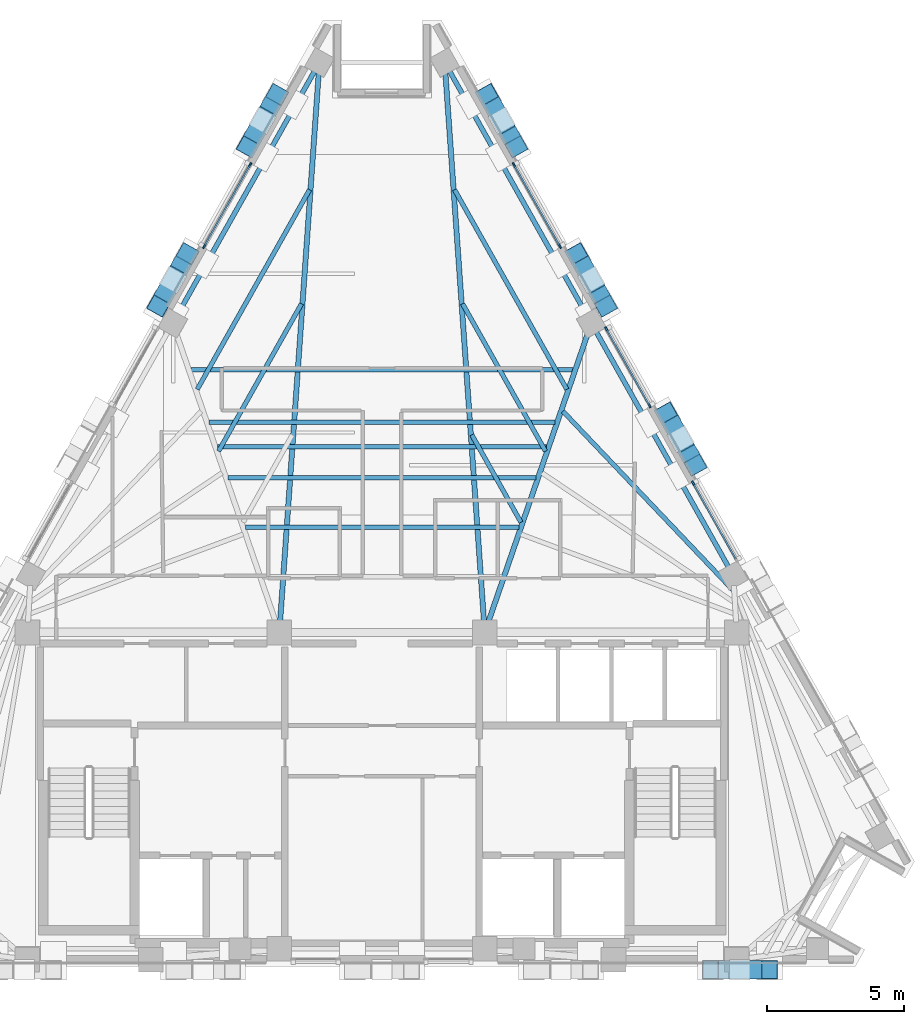
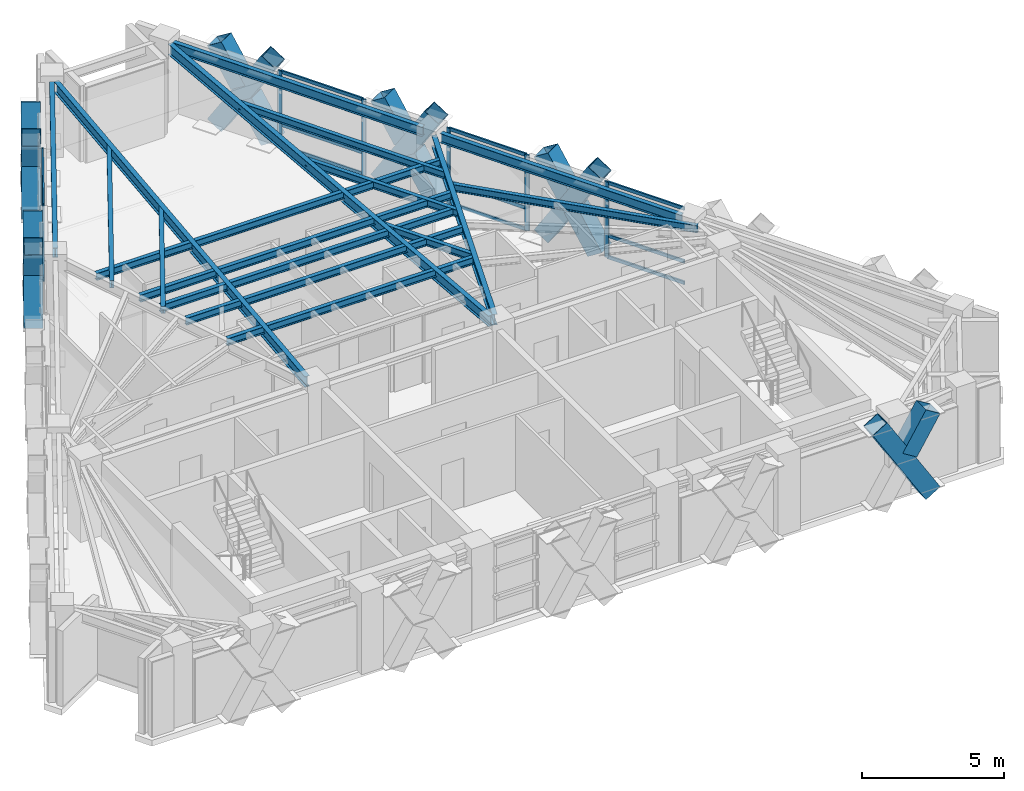
# One storey, part 4 of 11: 36 members, 17 beams, 4 elements without a shape of their own.
"""IFC4 building model written with IfcOpenShell, lengths in metres."""

import ifcopenshell
import ifcopenshell.guid

model = None  # the IFC model being written
_history = None  # IfcOwnerHistory: only IFC2X3 demands one
_inside = {}  # id of a spatial element -> (the spatial element, [elements in it])
_under = {}  # id of a project, library or spatial element -> (it, [spatial elements below it])
_declared = {}  # id of a project -> (the project, [libraries it declares])
_typed = {}  # id of a type object -> (the type object, [elements of that type])
_made_of = {}  # id of a material, layer set ... -> (it, [elements and type objects made of it])


def new_model(schema):
    """Start an empty IFC model of exactly this schema.

    Asked for "IFC4X3", IfcOpenShell would pick the latest addendum, in which some entities
    have other attributes; the version numbers below select the first issue.
    IFC2X3 requires an IfcOwnerHistory on every rooted entity: one is made here for all.
    """
    global model, _history
    if schema == "IFC4X3":
        model = ifcopenshell.file(schema_version=(4, 3, 0, 0))
    else:
        model = ifcopenshell.file(schema=schema)
    _inside.clear()
    _under.clear()
    _declared.clear()
    _typed.clear()
    _made_of.clear()
    _history = None
    if model.schema == "IFC2X3":
        org = make("IfcOrganization", Name="unknown")
        user = make(
            "IfcPersonAndOrganization",
            ThePerson=make("IfcPerson", FamilyName="unknown"),
            TheOrganization=org,
        )
        app = make(
            "IfcApplication",
            ApplicationDeveloper=org,
            Version="unknown",
            ApplicationFullName="unknown",
            ApplicationIdentifier="unknown",
        )
        _history = make(
            "IfcOwnerHistory",
            OwningUser=user,
            OwningApplication=app,
            ChangeAction="ADDED",
            CreationDate=0,
        )
    return model


def make(cls, **values):
    """One entity of the class cls with the attributes given. An attribute that is None is left unset."""
    return model.create_entity(
        cls, **{name: value for name, value in values.items() if value is not None}
    )


def rooted(cls, **values):
    """An entity with a GlobalId (a new one), such as an element, a storey or a relation."""
    return make(cls, GlobalId=ifcopenshell.guid.new(), OwnerHistory=_history, **values)


def si_unit(unit_type, name, prefix=None):
    """IfcSIUnit, for example si_unit("LENGTHUNIT", "METRE", prefix="MILLI")."""
    return make("IfcSIUnit", UnitType=unit_type, Prefix=prefix, Name=name)


def assignment(units):
    """IfcUnitAssignment: the units of a project."""
    return None if units is None else make("IfcUnitAssignment", Units=units)


def point(xyz):
    """IfcCartesianPoint."""
    return None if xyz is None else make("IfcCartesianPoint", Coordinates=xyz)


def direction(xyz):
    """IfcDirection."""
    return None if xyz is None else make("IfcDirection", DirectionRatios=xyz)


def frame(location, z_axis=None, x_axis=None):
    """IfcAxis2Placement3D, a coordinate frame: its origin and axes. An axis left out is left unset."""
    return make(
        "IfcAxis2Placement3D",
        Location=point(location),
        Axis=direction(z_axis),
        RefDirection=direction(x_axis),
    )


def frame_2d(location, x_axis=None):
    """IfcAxis2Placement2D, a coordinate frame in the plane: its origin and x axis."""
    return make(
        "IfcAxis2Placement2D", Location=point(location), RefDirection=direction(x_axis)
    )


def origin():
    """The frame at (0, 0, 0) with its axes left unset."""
    return frame((0.0, 0.0, 0.0))


def origin_2d():
    """The frame at (0, 0) in the plane with its x axis left unset."""
    return frame_2d((0.0, 0.0))


def place(relative_to, where):
    """IfcLocalPlacement: puts the frame where relative to a parent placement (None: the world)."""
    return make(
        "IfcLocalPlacement", PlacementRelTo=relative_to, RelativePlacement=where
    )


def context(
    kind, dimensions, precision=None, world=None, true_north=None, identifier=None
):
    """IfcGeometricRepresentationContext, for example the 3D "Model" context."""
    return make(
        "IfcGeometricRepresentationContext",
        ContextIdentifier=identifier,
        ContextType=kind,
        CoordinateSpaceDimension=dimensions,
        Precision=precision,
        WorldCoordinateSystem=world,
        TrueNorth=true_north,
    )


def subcontext(parent, identifier, kind, view, scale=None):
    """IfcGeometricRepresentationSubContext, for example "Body" below "Model"."""
    return make(
        "IfcGeometricRepresentationSubContext",
        ContextIdentifier=identifier,
        ContextType=kind,
        ParentContext=parent,
        TargetScale=scale,
        TargetView=view,
    )


def project(units=None, contexts=None):
    """IfcProject with its units and contexts."""
    return rooted(
        "IfcProject",
        Name="project",
        RepresentationContexts=contexts,
        UnitsInContext=assignment(units),
    )


def spatial(cls, under=None, at=None, **own):
    """A site, building, storey or space (cls), placed at a placement, below another one or the project."""
    s = rooted(cls, ObjectPlacement=at, **own)
    if under is not None:
        _under.setdefault(under.id(), (under, []))[1].append(s)
    return s


def profile(cls, at=None, kind="AREA", **sizes):
    """A parametric profile (cls). Its sizes go by their IFC names, for example OverallWidth=200.0."""
    return make(cls, ProfileType=kind, Position=at, **sizes)


def rectangle(**sizes):
    """IfcRectangleProfileDef."""
    return profile("IfcRectangleProfileDef", **sizes)


def hollow_rectangle(**sizes):
    """IfcRectangleHollowProfileDef."""
    return profile("IfcRectangleHollowProfileDef", **sizes)


def i_section(**sizes):
    """IfcIShapeProfileDef."""
    return profile("IfcIShapeProfileDef", **sizes)


def extrude(swept, where, along, depth):
    """IfcExtrudedAreaSolid: the profile swept, set in the frame where, extruded along a direction by depth."""
    return make(
        "IfcExtrudedAreaSolid",
        SweptArea=swept,
        Position=where,
        ExtrudedDirection=direction(along),
        Depth=depth,
    )


def shape(context_of_items, identifier, shape_type, items):
    """IfcShapeRepresentation: the items that make up one representation, for example the "Body"."""
    return make(
        "IfcShapeRepresentation",
        ContextOfItems=context_of_items,
        RepresentationIdentifier=identifier,
        RepresentationType=shape_type,
        Items=items,
    )


def material(Name=None, Category=None):
    """IfcMaterial."""
    return make("IfcMaterial", Name=Name, Category=Category)


def material_profile(
    of_material, cross_section, Name=None, Category=None, Priority=None
):
    """IfcMaterialProfile: a cross section and its material."""
    return make(
        "IfcMaterialProfile",
        Name=Name,
        Material=of_material,
        Profile=cross_section,
        Priority=Priority,
        Category=Category,
    )


def profile_set(profiles, Name=None, composite=None):
    """IfcMaterialProfileSet."""
    return make(
        "IfcMaterialProfileSet",
        Name=Name,
        MaterialProfiles=profiles,
        CompositeProfile=composite,
    )


def made_of(thing, what):
    """Note that an element or type object is made of a material, layer set ...; save() writes the relation."""
    if what is not None:
        _made_of.setdefault(what.id(), (what, []))[1].append(thing)
    return thing


def type_object(cls, material=None, **own):
    """A type object (cls), such as IfcWallType, which elements share."""
    return made_of(rooted(cls, **own), material)


def element(
    cls,
    number,
    at=None,
    inside=None,
    cuts=None,
    type_object=None,
    material=None,
    context=None,
    identifier="Body",
    shape_type=None,
    held_by="IfcProductDefinitionShape",
    body=None,
    shapes=None,
    **own,
):
    """One element of the class cls, such as IfcWall. Its Tag is "e" and its number.

    at: its placement. inside: the storey or other place that contains it. cuts: it is an
    opening in that element (IfcRelVoidsElement). A single representation is given by context,
    identifier, shape_type and body (its items); several are given by shapes. held_by: the class
    of the entity that holds the representations. save() writes the other relations.
    """
    e = rooted(cls, Tag="e%d" % number, ObjectPlacement=at, **own)
    if body is not None:
        shapes = [shape(context, identifier, shape_type, body)]
    if shapes is not None:
        e.Representation = make(held_by, Representations=shapes)
    if inside is not None:
        _inside.setdefault(inside.id(), (inside, []))[1].append(e)
    if cuts is not None:
        rooted(
            "IfcRelVoidsElement", RelatingBuildingElement=cuts, RelatedOpeningElement=e
        )
    if type_object is not None:
        _typed.setdefault(type_object.id(), (type_object, []))[1].append(e)
    return made_of(e, material)


def aggregate(whole, parts):
    """IfcRelAggregates: a whole, such as a stair, and the parts it consists of."""
    return rooted("IfcRelAggregates", RelatingObject=whole, RelatedObjects=parts)


def save(model, path):
    """Write the relations noted so far, then the file.

    IfcRelAggregates (storeys below a building ...), IfcRelContainedInSpatialStructure (elements
    in a storey), IfcRelDefinesByType, IfcRelAssociatesMaterial and IfcRelDeclares: one each for
    every whole, place, type object, material and project.
    """
    for whole, parts in _under.values():
        aggregate(whole, parts)
    for where, things in _inside.values():
        rooted(
            "IfcRelContainedInSpatialStructure",
            RelatedElements=things,
            RelatingStructure=where,
        )
    for kind, things in _typed.values():
        rooted("IfcRelDefinesByType", RelatedObjects=things, RelatingType=kind)
    for what, things in _made_of.values():
        rooted("IfcRelAssociatesMaterial", RelatedObjects=things, RelatingMaterial=what)
    for by, libraries in _declared.values():
        rooted("IfcRelDeclares", RelatingContext=by, RelatedDefinitions=libraries)
    model.write(path)


model = new_model("IFC4")

# Units and contexts
model_context = context("Model", 3, precision=1e-05, world=origin(), true_north=direction((0.0, 1.0)))
body_context = subcontext(model_context, "Body", "Model", "MODEL_VIEW")
ifc_project = project(units=[si_unit("LENGTHUNIT", "METRE"), si_unit("AREAUNIT", "SQUARE_METRE"), si_unit("VOLUMEUNIT", "CUBIC_METRE"), si_unit("PLANEANGLEUNIT", "RADIAN"), si_unit("MASSUNIT", "GRAM", prefix="KILO")], contexts=[model_context])

# Site, building, storey
site_placement = place(None, origin())
site = spatial("IfcSite", under=ifc_project, at=site_placement, CompositionType="ELEMENT")
building_placement = place(site_placement, origin())
building = spatial("IfcBuilding", under=site, at=building_placement, Name="Quenlor Broadcast Tower", CompositionType="ELEMENT")
storey_placement = place(building_placement, frame((0.0, 0.0, 253.39990234375)))
storey = spatial("IfcBuildingStorey", under=building, at=storey_placement, Name="L70", CompositionType="ELEMENT", Elevation=253.39990234375)

# Curtain wall, members
ifc_material_1 = material(Name="Architectural Terracotta and Low-E Glazing", Category="masonry")
curtain_wall_type = type_object("IfcCurtainWallType", Name="Unitised Terracotta Curtain Wall System Z5", PredefinedType="NOTDEFINED", material=ifc_material_1)
curtain_wall_1_placement = place(storey_placement, origin())
curtain_wall_1 = element("IfcCurtainWall", 1, at=curtain_wall_1_placement, inside=storey, type_object=curtain_wall_type, Name="L70 Curtain Wall CW5 (L70-NEA-G1)", PredefinedType="NOTDEFINED")
ifc_material_2 = material(Name="Aluminium 6063-T6", Category="aluminium")
ifc_material_profile_1 = material_profile(ifc_material_2, rectangle(XDim=0.06494140625, YDim=0.169921875, at=origin_2d()))
ifc_profile_set_1 = profile_set([ifc_material_profile_1], Name="Aluminium 6063-T6 MULL65x170")
member_type_1 = type_object("IfcMemberType", Name="CW5 Aluminium Mullion MULL_CW5", PredefinedType="MULLION", material=ifc_profile_set_1)
member_1_placement = place(storey_placement, frame((4.81787109375, 12.274169921875, 0.0), z_axis=(0.0, 0.0, 1.0), x_axis=(0.871581670563, 0.490250335582, 0.0)))
member_1 = element("IfcMember", 2, at=member_1_placement, type_object=member_type_1, Name="CW5 mullion 1", PredefinedType="MULLION", context=body_context, shape_type="SweptSolid", body=[
    extrude(rectangle(XDim=0.06494140625, YDim=0.169921875, at=origin_2d()), origin(), (0.0, 0.0, 1.0), 3.25),
])
member_2_placement = place(storey_placement, frame((6.49365234375, 9.294677734375, 0.0), z_axis=(0.0, 0.0, 1.0), x_axis=(0.871581670563, 0.490250335582, 0.0)))
member_2 = element("IfcMember", 3, at=member_2_placement, type_object=member_type_1, Name="CW5 mullion 2", PredefinedType="MULLION", context=body_context, shape_type="SweptSolid", body=[
    extrude(rectangle(XDim=0.06494140625, YDim=0.169921875, at=origin_2d()), origin(), (0.0, 0.0, 1.0), 3.25),
])

curtain_wall_2_placement = place(storey_placement, origin())
curtain_wall_2 = element("IfcCurtainWall", 4, at=curtain_wall_2_placement, inside=storey, type_object=curtain_wall_type, Name="L70 Curtain Wall CW5 (L70-NE-G1)", PredefinedType="NOTDEFINED")
member_3_placement = place(storey_placement, frame((8.190185546875, 6.27880859375, 0.0), z_axis=(0.0, 0.0, 1.0), x_axis=(0.871574721405, 0.490262689797, 0.0)))
member_3 = element("IfcMember", 5, at=member_3_placement, type_object=member_type_1, Name="CW5 mullion 1", PredefinedType="MULLION", context=body_context, shape_type="SweptSolid", body=[
    extrude(rectangle(XDim=0.06494140625, YDim=0.169921875, at=origin_2d()), origin(), (0.0, 0.0, 1.0), 3.25),
])
member_4_placement = place(storey_placement, frame((9.763427734375, 3.48193359375, 0.0), z_axis=(0.0, 0.0, 1.0), x_axis=(0.871574721405, 0.490262689797, 0.0)))
member_4 = element("IfcMember", 6, at=member_4_placement, type_object=member_type_1, Name="CW5 mullion 2", PredefinedType="MULLION", context=body_context, shape_type="SweptSolid", body=[
    extrude(rectangle(XDim=0.06494140625, YDim=0.169921875, at=origin_2d()), origin(), (0.0, 0.0, 1.0), 3.25),
])

# Curtain wall, member
curtain_wall_3_placement = place(storey_placement, origin())
curtain_wall_3 = element("IfcCurtainWall", 7, at=curtain_wall_3_placement, inside=storey, type_object=curtain_wall_type, Name="L70 Curtain Wall CW5 (L70-NE-G2)", PredefinedType="NOTDEFINED")
member_5_placement = place(storey_placement, frame((11.357177734375, 0.6484375, 0.0), z_axis=(0.0, 0.0, 1.0), x_axis=(0.871574721405, 0.490262689797, 0.0)))
member_5 = element("IfcMember", 8, at=member_5_placement, type_object=member_type_1, Name="CW5 mullion 1", PredefinedType="MULLION", context=body_context, shape_type="SweptSolid", body=[
    extrude(rectangle(XDim=0.06494140625, YDim=0.169921875, at=origin_2d()), origin(), (0.0, 0.0, 1.0), 3.25),
])

# Curtain wall, members
curtain_wall_4_placement = place(storey_placement, origin())
curtain_wall_4 = element("IfcCurtainWall", 9, at=curtain_wall_4_placement, inside=storey, type_object=curtain_wall_type, Name="L70 Curtain Wall CW5 (L70-NWC-G1)", PredefinedType="NOTDEFINED")
member_6_placement = place(storey_placement, frame((-6.49365234375, 9.294677734375, 0.0), z_axis=(0.0, 0.0, 1.0), x_axis=(-0.871581670563, 0.490250335582, 0.0)))
member_6 = element("IfcMember", 10, at=member_6_placement, type_object=member_type_1, Name="CW5 mullion 1", PredefinedType="MULLION", context=body_context, shape_type="SweptSolid", body=[
    extrude(rectangle(XDim=0.06494140625, YDim=0.169921875, at=origin_2d()), origin(), (0.0, 0.0, 1.0), 3.25),
])
member_7_placement = place(storey_placement, frame((-4.81787109375, 12.274169921875, 0.0), z_axis=(0.0, 0.0, 1.0), x_axis=(-0.871581670563, 0.490250335582, 0.0)))
member_7 = element("IfcMember", 11, at=member_7_placement, type_object=member_type_1, Name="CW5 mullion 2", PredefinedType="MULLION", context=body_context, shape_type="SweptSolid", body=[
    extrude(rectangle(XDim=0.06494140625, YDim=0.169921875, at=origin_2d()), origin(), (0.0, 0.0, 1.0), 3.25),
])

# Member
ifc_material_3 = material(Name="Aluminium 6063-T6", Category="aluminium")
ifc_material_profile_2 = material_profile(ifc_material_3, rectangle(XDim=0.06494140625, YDim=0.139892578125, at=origin_2d()))
ifc_profile_set_2 = profile_set([ifc_material_profile_2], Name="Aluminium 6063-T6 TRAN65x140")
member_type_2 = type_object("IfcMemberType", Name="CW5 Aluminium Transom TRAN_CW5", PredefinedType="USERDEFINED", material=ifc_profile_set_2)
member_8_placement = place(storey_placement, frame((4.833740234375, 12.245849609375, 0.03271484375), z_axis=(0.490247413707, -0.871583314063, 0.0), x_axis=(0.871583314063, 0.490247413707, 0.0)))
member_8 = element("IfcMember", 12, at=member_8_placement, type_object=member_type_2, Name="CW5 transom 1.1", ObjectType="TRANSOM", PredefinedType="USERDEFINED", context=body_context, shape_type="SweptSolid", body=[
    extrude(rectangle(XDim=0.06494140625, YDim=0.139892578125, at=origin_2d()), origin(), (0.0, 0.0, 1.0), 3.353515625),
])

member_9_placement = place(storey_placement, frame((4.833740234375, 12.245849609375, 0.9501953125), z_axis=(0.490247413707, -0.871583314063, 0.0), x_axis=(0.871583314063, 0.490247413707, 0.0)))
member_9 = element("IfcMember", 13, at=member_9_placement, type_object=member_type_2, Name="CW5 transom 1.2", ObjectType="TRANSOM", PredefinedType="USERDEFINED", context=body_context, shape_type="SweptSolid", body=[
    extrude(rectangle(XDim=0.06494140625, YDim=0.139892578125, at=origin_2d()), origin(), (0.0, 0.0, 1.0), 3.353515625),
])

member_10_placement = place(storey_placement, frame((4.833740234375, 12.245849609375, 3.217529296875), z_axis=(0.490247413707, -0.871583314063, 0.0), x_axis=(0.871583314063, 0.490247413707, 0.0)))
member_10 = element("IfcMember", 14, at=member_10_placement, type_object=member_type_2, Name="CW5 transom 1.3", ObjectType="TRANSOM", PredefinedType="USERDEFINED", context=body_context, shape_type="SweptSolid", body=[
    extrude(rectangle(XDim=0.06494140625, YDim=0.139892578125, at=origin_2d()), origin(), (0.0, 0.0, 1.0), 3.353515625),
])

aggregate(curtain_wall_1, [member_1, member_2, member_8, member_9, member_10])

member_11_placement = place(storey_placement, frame((8.2060546875, 6.25048828125, 0.03271484375), z_axis=(0.490231744535, -0.87159212746, 0.0), x_axis=(0.87159212746, 0.490231744535, 0.0)))
member_11 = element("IfcMember", 15, at=member_11_placement, type_object=member_type_2, Name="CW5 transom 1.1", ObjectType="TRANSOM", PredefinedType="USERDEFINED", context=body_context, shape_type="SweptSolid", body=[
    extrude(rectangle(XDim=0.06494140625, YDim=0.139892578125, at=origin_2d()), origin(), (0.0, 0.0, 1.0), 3.14404296875),
])

member_12_placement = place(storey_placement, frame((8.2060546875, 6.25048828125, 0.9501953125), z_axis=(0.490231744535, -0.87159212746, 0.0), x_axis=(0.87159212746, 0.490231744535, 0.0)))
member_12 = element("IfcMember", 16, at=member_12_placement, type_object=member_type_2, Name="CW5 transom 1.2", ObjectType="TRANSOM", PredefinedType="USERDEFINED", context=body_context, shape_type="SweptSolid", body=[
    extrude(rectangle(XDim=0.06494140625, YDim=0.139892578125, at=origin_2d()), origin(), (0.0, 0.0, 1.0), 3.14404296875),
])

member_13_placement = place(storey_placement, frame((8.2060546875, 6.25048828125, 3.217529296875), z_axis=(0.490231744535, -0.87159212746, 0.0), x_axis=(0.87159212746, 0.490231744535, 0.0)))
member_13 = element("IfcMember", 17, at=member_13_placement, type_object=member_type_2, Name="CW5 transom 1.3", ObjectType="TRANSOM", PredefinedType="USERDEFINED", context=body_context, shape_type="SweptSolid", body=[
    extrude(rectangle(XDim=0.06494140625, YDim=0.139892578125, at=origin_2d()), origin(), (0.0, 0.0, 1.0), 3.14404296875),
])

aggregate(curtain_wall_2, [member_3, member_4, member_11, member_12, member_13])

member_14_placement = place(storey_placement, frame((11.373046875, 0.6201171875, 0.03271484375), z_axis=(0.490290733046, -0.871558946422, 0.0), x_axis=(0.871558946422, 0.490290733046, 0.0)))
member_14 = element("IfcMember", 18, at=member_14_placement, type_object=member_type_2, Name="CW5 transom 1.1", ObjectType="TRANSOM", PredefinedType="USERDEFINED", context=body_context, shape_type="SweptSolid", body=[
    extrude(rectangle(XDim=0.06494140625, YDim=0.139892578125, at=origin_2d()), origin(), (0.0, 0.0, 1.0), 3.14404296875),
])

member_15_placement = place(storey_placement, frame((11.373046875, 0.6201171875, 0.9501953125), z_axis=(0.490290733046, -0.871558946422, 0.0), x_axis=(0.871558946422, 0.490290733046, 0.0)))
member_15 = element("IfcMember", 19, at=member_15_placement, type_object=member_type_2, Name="CW5 transom 1.2", ObjectType="TRANSOM", PredefinedType="USERDEFINED", context=body_context, shape_type="SweptSolid", body=[
    extrude(rectangle(XDim=0.06494140625, YDim=0.139892578125, at=origin_2d()), origin(), (0.0, 0.0, 1.0), 3.14404296875),
])

member_16_placement = place(storey_placement, frame((11.373046875, 0.6201171875, 3.217529296875), z_axis=(0.490290733046, -0.871558946422, 0.0), x_axis=(0.871558946422, 0.490290733046, 0.0)))
member_16 = element("IfcMember", 20, at=member_16_placement, type_object=member_type_2, Name="CW5 transom 1.3", ObjectType="TRANSOM", PredefinedType="USERDEFINED", context=body_context, shape_type="SweptSolid", body=[
    extrude(rectangle(XDim=0.06494140625, YDim=0.139892578125, at=origin_2d()), origin(), (0.0, 0.0, 1.0), 3.14404296875),
])

aggregate(curtain_wall_3, [member_5, member_14, member_15, member_16])

member_17_placement = place(storey_placement, frame((-6.477783203125, 9.322998046875, 0.03271484375), z_axis=(0.490247413707, 0.871583314063, 0.0), x_axis=(-0.871583314063, 0.490247413707, 0.0)))
member_17 = element("IfcMember", 21, at=member_17_placement, type_object=member_type_2, Name="CW5 transom 1.1", ObjectType="TRANSOM", PredefinedType="USERDEFINED", context=body_context, shape_type="SweptSolid", body=[
    extrude(rectangle(XDim=0.06494140625, YDim=0.139892578125, at=origin_2d()), origin(), (0.0, 0.0, 1.0), 3.353515625),
])

member_18_placement = place(storey_placement, frame((-6.477783203125, 9.322998046875, 0.9501953125), z_axis=(0.490247413707, 0.871583314063, 0.0), x_axis=(-0.871583314063, 0.490247413707, 0.0)))
member_18 = element("IfcMember", 22, at=member_18_placement, type_object=member_type_2, Name="CW5 transom 1.2", ObjectType="TRANSOM", PredefinedType="USERDEFINED", context=body_context, shape_type="SweptSolid", body=[
    extrude(rectangle(XDim=0.06494140625, YDim=0.139892578125, at=origin_2d()), origin(), (0.0, 0.0, 1.0), 3.353515625),
])

member_19_placement = place(storey_placement, frame((-6.477783203125, 9.322998046875, 3.217529296875), z_axis=(0.490247413707, 0.871583314063, 0.0), x_axis=(-0.871583314063, 0.490247413707, 0.0)))
member_19 = element("IfcMember", 23, at=member_19_placement, type_object=member_type_2, Name="CW5 transom 1.3", ObjectType="TRANSOM", PredefinedType="USERDEFINED", context=body_context, shape_type="SweptSolid", body=[
    extrude(rectangle(XDim=0.06494140625, YDim=0.139892578125, at=origin_2d()), origin(), (0.0, 0.0, 1.0), 3.353515625),
])

aggregate(curtain_wall_4, [member_6, member_7, member_17, member_18, member_19])

# Members
ifc_material_4 = material(Name="Steel S355", Category="steel")
ifc_material_profile_3 = material_profile(ifc_material_4, hollow_rectangle(XDim=0.679931640625, YDim=0.679931640625, WallThickness=0.02001953125, at=origin_2d()))
ifc_profile_set_3 = profile_set([ifc_material_profile_3], Name="Steel S355 RHS680x680x20")
member_type_3 = type_object("IfcMemberType", Name="Perimeter Diagonal Lattice Brace Z5-Crown Steel S355 RHS680x20", PredefinedType="BRACE", material=ifc_profile_set_3)
member_20_placement = place(storey_placement, frame((14.1396484375, -17.1201171875, -0.119873046875), z_axis=(-0.5236596973, 0.0, 0.851927532965), x_axis=(0.0, -1.0, 0.0)))
element("IfcMember", 24, at=member_20_placement, inside=storey, type_object=member_type_3, Name="L70 Perimeter Diamond Lattice S-C1XA", PredefinedType="BRACE", context=body_context, shape_type="SweptSolid", body=[
    extrude(hollow_rectangle(XDim=0.679931640625, YDim=0.679931640625, WallThickness=0.02001953125, at=origin_2d()), origin(), (0.0, 0.0, 1.0), 4.1083984375),
])
member_21_placement = place(storey_placement, frame((13.19482421875, -17.1201171875, 1.843017578125), z_axis=(0.523659478087, 0.0, 0.85192766771), x_axis=(0.0, 1.0, 0.0)))
element("IfcMember", 25, at=member_21_placement, inside=storey, type_object=member_type_3, Name="L70 Perimeter Diamond Lattice S-C1XB2", PredefinedType="BRACE", context=body_context, shape_type="SweptSolid", body=[
    extrude(hollow_rectangle(XDim=0.679931640625, YDim=0.679931640625, WallThickness=0.02001953125, at=origin_2d()), origin(), (0.0, 0.0, 1.0), 1.80419921875),
])
member_22_placement = place(storey_placement, frame((3.826904296875, 14.841552734375, -0.119873046875), z_axis=(0.260563732169, -0.463283497491, 0.847038926161), x_axis=(0.871602253711, 0.49021374045, 0.0)))
element("IfcMember", 26, at=member_22_placement, inside=storey, type_object=member_type_3, Name="L70 Perimeter Diamond Lattice NE-C1XA", PredefinedType="BRACE", context=body_context, shape_type="SweptSolid", body=[
    extrude(hollow_rectangle(XDim=0.679931640625, YDim=0.679931640625, WallThickness=0.02001953125, at=origin_2d()), origin(), (0.0, 0.0, 1.0), 4.132080078125),
])
member_23_placement = place(storey_placement, frame((4.903564453125, 12.92724609375, -0.119873046875), z_axis=(-0.260561174869, 0.463309498762, 0.847025491062), x_axis=(-0.871616063886, -0.490189185087, 0.0)))
element("IfcMember", 27, at=member_23_placement, inside=storey, type_object=member_type_3, Name="L70 Perimeter Diamond Lattice NE-C1XB1", PredefinedType="BRACE", context=body_context, shape_type="SweptSolid", body=[
    extrude(hollow_rectangle(XDim=0.679931640625, YDim=0.679931640625, WallThickness=0.02001953125, at=origin_2d()), origin(), (0.0, 0.0, 1.0), 1.81591796875),
])
member_24_placement = place(storey_placement, frame((4.300048828125, 14.000244140625, 1.841796875), z_axis=(-0.260531504538, 0.463256741299, 0.847063472701), x_axis=(-0.871616063886, -0.490189185087, 0.0)))
element("IfcMember", 28, at=member_24_placement, inside=storey, type_object=member_type_3, Name="L70 Perimeter Diamond Lattice NE-C1XB2", PredefinedType="BRACE", context=body_context, shape_type="SweptSolid", body=[
    extrude(hollow_rectangle(XDim=0.679931640625, YDim=0.679931640625, WallThickness=0.02001953125, at=origin_2d()), origin(), (0.0, 0.0, 1.0), 1.816162109375),
])
member_25_placement = place(storey_placement, frame((7.096435546875, 9.02880859375, -0.119873046875), z_axis=(0.260618804175, -0.463276364439, 0.847025884529), x_axis=(0.8715547569, 0.490298180422, 0.0)))
element("IfcMember", 29, at=member_25_placement, inside=storey, type_object=member_type_3, Name="L70 Perimeter Diamond Lattice NE-C2XA", PredefinedType="BRACE", context=body_context, shape_type="SweptSolid", body=[
    extrude(hollow_rectangle(XDim=0.679931640625, YDim=0.679931640625, WallThickness=0.02001953125, at=origin_2d()), origin(), (0.0, 0.0, 1.0), 4.132080078125),
])
member_26_placement = place(storey_placement, frame((8.17333984375, 7.114501953125, -0.119873046875), z_axis=(-0.26068648878, 0.463293264743, 0.846995811921), x_axis=(-0.871507987664, -0.490381308207, 0.0)))
element("IfcMember", 30, at=member_26_placement, inside=storey, type_object=member_type_3, Name="L70 Perimeter Diamond Lattice NE-C2XB1", PredefinedType="BRACE", context=body_context, shape_type="SweptSolid", body=[
    extrude(hollow_rectangle(XDim=0.679931640625, YDim=0.679931640625, WallThickness=0.02001953125, at=origin_2d()), origin(), (0.0, 0.0, 1.0), 1.81591796875),
])
member_27_placement = place(storey_placement, frame((7.56982421875, 8.1875, 1.841796875), z_axis=(-0.260656806259, 0.463240512825, 0.847033798988), x_axis=(-0.871507987664, -0.490381308207, 0.0)))
element("IfcMember", 31, at=member_27_placement, inside=storey, type_object=member_type_3, Name="L70 Perimeter Diamond Lattice NE-C2XB2", PredefinedType="BRACE", context=body_context, shape_type="SweptSolid", body=[
    extrude(hollow_rectangle(XDim=0.679931640625, YDim=0.679931640625, WallThickness=0.02001953125, at=origin_2d()), origin(), (0.0, 0.0, 1.0), 1.816162109375),
])
member_28_placement = place(storey_placement, frame((10.3662109375, 3.216064453125, -0.119873046875), z_axis=(0.260618804175, -0.463276364439, 0.847025884529), x_axis=(0.8715547569, 0.490298180422, 0.0)))
element("IfcMember", 32, at=member_28_placement, inside=storey, type_object=member_type_3, Name="L70 Perimeter Diamond Lattice NE-C3XA", PredefinedType="BRACE", context=body_context, shape_type="SweptSolid", body=[
    extrude(hollow_rectangle(XDim=0.679931640625, YDim=0.679931640625, WallThickness=0.02001953125, at=origin_2d()), origin(), (0.0, 0.0, 1.0), 4.132080078125),
])
member_29_placement = place(storey_placement, frame((11.443115234375, 1.3017578125, -0.119873046875), z_axis=(-0.26068648878, 0.463293264743, 0.846995811921), x_axis=(-0.871507987664, -0.490381308207, 0.0)))
element("IfcMember", 33, at=member_29_placement, inside=storey, type_object=member_type_3, Name="L70 Perimeter Diamond Lattice NE-C3XB1", PredefinedType="BRACE", context=body_context, shape_type="SweptSolid", body=[
    extrude(hollow_rectangle(XDim=0.679931640625, YDim=0.679931640625, WallThickness=0.02001953125, at=origin_2d()), origin(), (0.0, 0.0, 1.0), 1.81591796875),
])
member_30_placement = place(storey_placement, frame((10.839599609375, 2.374755859375, 1.841796875), z_axis=(-0.260656806259, 0.463240512825, 0.847033798988), x_axis=(-0.871507987664, -0.490381308207, 0.0)))
element("IfcMember", 34, at=member_30_placement, inside=storey, type_object=member_type_3, Name="L70 Perimeter Diamond Lattice NE-C3XB2", PredefinedType="BRACE", context=body_context, shape_type="SweptSolid", body=[
    extrude(hollow_rectangle(XDim=0.679931640625, YDim=0.679931640625, WallThickness=0.02001953125, at=origin_2d()), origin(), (0.0, 0.0, 1.0), 1.816162109375),
])
member_31_placement = place(storey_placement, frame((-8.17333984375, 7.114501953125, -0.119873046875), z_axis=(0.260618804175, 0.463276364439, 0.847025884529), x_axis=(-0.8715547569, 0.490298180422, 0.0)))
element("IfcMember", 35, at=member_31_placement, inside=storey, type_object=member_type_3, Name="L70 Perimeter Diamond Lattice NW-C4XA", PredefinedType="BRACE", context=body_context, shape_type="SweptSolid", body=[
    extrude(hollow_rectangle(XDim=0.679931640625, YDim=0.679931640625, WallThickness=0.02001953125, at=origin_2d()), origin(), (0.0, 0.0, 1.0), 4.132080078125),
])
member_32_placement = place(storey_placement, frame((-7.096435546875, 9.02880859375, -0.119873046875), z_axis=(-0.26068648878, -0.463293264743, 0.846995811921), x_axis=(0.871507987664, -0.490381308207, 0.0)))
element("IfcMember", 36, at=member_32_placement, inside=storey, type_object=member_type_3, Name="L70 Perimeter Diamond Lattice NW-C4XB1", PredefinedType="BRACE", context=body_context, shape_type="SweptSolid", body=[
    extrude(hollow_rectangle(XDim=0.679931640625, YDim=0.679931640625, WallThickness=0.02001953125, at=origin_2d()), origin(), (0.0, 0.0, 1.0), 1.81591796875),
])
member_33_placement = place(storey_placement, frame((-7.699951171875, 7.955810546875, 1.841796875), z_axis=(-0.260656806259, -0.463240512825, 0.847033798988), x_axis=(0.871507987664, -0.490381308207, 0.0)))
element("IfcMember", 37, at=member_33_placement, inside=storey, type_object=member_type_3, Name="L70 Perimeter Diamond Lattice NW-C4XB2", PredefinedType="BRACE", context=body_context, shape_type="SweptSolid", body=[
    extrude(hollow_rectangle(XDim=0.679931640625, YDim=0.679931640625, WallThickness=0.02001953125, at=origin_2d()), origin(), (0.0, 0.0, 1.0), 1.816162109375),
])
member_34_placement = place(storey_placement, frame((-4.903564453125, 12.92724609375, -0.119873046875), z_axis=(0.260563732169, 0.463283497491, 0.847038926161), x_axis=(-0.871602253711, 0.49021374045, 0.0)))
element("IfcMember", 38, at=member_34_placement, inside=storey, type_object=member_type_3, Name="L70 Perimeter Diamond Lattice NW-C5XA", PredefinedType="BRACE", context=body_context, shape_type="SweptSolid", body=[
    extrude(hollow_rectangle(XDim=0.679931640625, YDim=0.679931640625, WallThickness=0.02001953125, at=origin_2d()), origin(), (0.0, 0.0, 1.0), 4.132080078125),
])
member_35_placement = place(storey_placement, frame((-3.826904296875, 14.841552734375, -0.119873046875), z_axis=(-0.260561174869, -0.463309498762, 0.847025491062), x_axis=(0.871616063886, -0.490189185087, 0.0)))
element("IfcMember", 39, at=member_35_placement, inside=storey, type_object=member_type_3, Name="L70 Perimeter Diamond Lattice NW-C5XB1", PredefinedType="BRACE", context=body_context, shape_type="SweptSolid", body=[
    extrude(hollow_rectangle(XDim=0.679931640625, YDim=0.679931640625, WallThickness=0.02001953125, at=origin_2d()), origin(), (0.0, 0.0, 1.0), 1.81591796875),
])
member_36_placement = place(storey_placement, frame((-4.430419921875, 13.7685546875, 1.841796875), z_axis=(-0.260531504538, -0.463256741299, 0.847063472701), x_axis=(0.871616063886, -0.490189185087, 0.0)))
element("IfcMember", 40, at=member_36_placement, inside=storey, type_object=member_type_3, Name="L70 Perimeter Diamond Lattice NW-C5XB2", PredefinedType="BRACE", context=body_context, shape_type="SweptSolid", body=[
    extrude(hollow_rectangle(XDim=0.679931640625, YDim=0.679931640625, WallThickness=0.02001953125, at=origin_2d()), origin(), (0.0, 0.0, 1.0), 1.816162109375),
])

# Beams
ifc_material_5 = material(Name="Steel S355", Category="steel")
ifc_material_profile_4 = material_profile(ifc_material_5, i_section(OverallWidth=0.177978515625, OverallDepth=0.406494140625, WebThickness=0.0078125, FlangeThickness=0.0126953125, FilletRadius=0.011474609375, at=origin_2d()))
ifc_profile_set_4 = profile_set([ifc_material_profile_4], Name="Steel S355 410UB59.7")
beam_type_1 = type_object("IfcBeamType", Name="Perimeter Spandrel Beam Z5 Steel S355 410UB59.7", PredefinedType="SPANDREL", material=ifc_profile_set_4)
beam_1_placement = place(storey_placement, frame((12.64892578125, -2.412841796875, 3.046875), z_axis=(-0.49024947634, 0.871582153872, 0.0), x_axis=(-0.871582153872, -0.49024947634, 0.0)))
element("IfcBeam", 41, at=beam_1_placement, inside=storey, type_object=beam_type_1, Name="L70 Spandrel Beam NE2-NE3", PredefinedType="SPANDREL", context=body_context, shape_type="SweptSolid", body=[
    extrude(i_section(OverallWidth=0.177978515625, OverallDepth=0.406494140625, WebThickness=0.0078125, FlangeThickness=0.0126953125, FilletRadius=0.011474609375, at=origin_2d()), origin(), (0.0, 0.0, 1.0), 9.853759765625),
])
for number, where, z_axis, x_axis, name in (
    (42, (7.465087890625, 6.802978515625, 3.046875), (-0.490264646634, 0.871573620677, 0.0), (-0.871573620677, -0.490264646634, 0.0), "L70 Spandrel Beam NE3-NE4"),
    (43, (-2.461181640625, 15.69873046875, 3.046875), (-0.490264646634, -0.871573620677, 0.0), (0.871573620677, -0.490264646634, 0.0), "L70 Spandrel Beam NW1-NW2"),
):
    element("IfcBeam", number, at=place(storey_placement, frame(where, z_axis=z_axis, x_axis=x_axis)), inside=storey, type_object=beam_type_1, Name=name, PredefinedType="SPANDREL", context=body_context, shape_type="SweptSolid", body=[
        extrude(i_section(OverallWidth=0.177978515625, OverallDepth=0.406494140625, WebThickness=0.0078125, FlangeThickness=0.0126953125, FilletRadius=0.011474609375, at=origin_2d()), origin(), (0.0, 0.0, 1.0), 10.20654296875),
    ])
ifc_material_6 = material(Name="Steel S355", Category="steel")
ifc_material_profile_5 = material_profile(ifc_material_6, i_section(OverallWidth=0.166015625, OverallDepth=0.30712890625, WebThickness=0.006591796875, FlangeThickness=0.01171875, FilletRadius=0.011474609375, at=origin_2d()))
ifc_profile_set_5 = profile_set([ifc_material_profile_5], Name="Steel S355 310UB46.2")
beam_type_2 = type_object("IfcBeamType", Name="Tower Composite Joist Z4-Z5 Steel S355 310UB46.2", PredefinedType="JOIST", material=ifc_profile_set_5)
beam_2_placement = place(storey_placement, frame((-6.0048828125, 1.9736328125, 3.096435546875), z_axis=(1.0, 0.0, 0.0), x_axis=(0.0, 1.0, 0.0)))
element("IfcBeam", 44, at=beam_2_placement, inside=storey, type_object=beam_type_2, Name="L70 Secondary Composite Joist 2", PredefinedType="JOIST", context=body_context, shape_type="SweptSolid", body=[
    extrude(i_section(OverallWidth=0.166015625, OverallDepth=0.30712890625, WebThickness=0.006591796875, FlangeThickness=0.01171875, FilletRadius=0.011474609375, at=origin_2d()), origin(), (0.0, 0.0, 1.0), 12.009765625),
])
beam_3_placement = place(storey_placement, frame((-4.9931640625, -0.961669921875, 3.096435546875), z_axis=(1.0, 0.0, 0.0), x_axis=(0.0, 1.0, 0.0)))
element("IfcBeam", 45, at=beam_3_placement, inside=storey, type_object=beam_type_2, Name="L70 Secondary Composite Joist 3", PredefinedType="JOIST", context=body_context, shape_type="SweptSolid", body=[
    extrude(i_section(OverallWidth=0.166015625, OverallDepth=0.30712890625, WebThickness=0.006591796875, FlangeThickness=0.01171875, FilletRadius=0.011474609375, at=origin_2d()), origin(), (0.0, 0.0, 1.0), 9.986328125),
])
beam_4_placement = place(storey_placement, frame((-5.61572265625, 0.8447265625, 3.096435546875), z_axis=(1.0, 0.0, 0.0), x_axis=(0.0, 1.0, 0.0)))
element("IfcBeam", 46, at=beam_4_placement, inside=storey, type_object=beam_type_2, Name="L70 Secondary Composite Joist 4", PredefinedType="JOIST", context=body_context, shape_type="SweptSolid", body=[
    extrude(i_section(OverallWidth=0.166015625, OverallDepth=0.30712890625, WebThickness=0.006591796875, FlangeThickness=0.01171875, FilletRadius=0.011474609375, at=origin_2d()), origin(), (0.0, 0.0, 1.0), 11.2314453125),
])
beam_5_placement = place(storey_placement, frame((-6.316162109375, 2.876708984375, 3.096435546875), z_axis=(1.0, 0.0, 0.0), x_axis=(0.0, 1.0, 0.0)))
element("IfcBeam", 47, at=beam_5_placement, inside=storey, type_object=beam_type_2, Name="L70 Secondary Composite Joist 5", PredefinedType="JOIST", context=body_context, shape_type="SweptSolid", body=[
    extrude(i_section(OverallWidth=0.166015625, OverallDepth=0.30712890625, WebThickness=0.006591796875, FlangeThickness=0.01171875, FilletRadius=0.011474609375, at=origin_2d()), origin(), (0.0, 0.0, 1.0), 12.63232421875),
])
beam_6_placement = place(storey_placement, frame((-6.977783203125, 4.7958984375, 3.096435546875), z_axis=(1.0, 0.0, 0.0), x_axis=(0.0, 1.0, 0.0)))
element("IfcBeam", 48, at=beam_6_placement, inside=storey, type_object=beam_type_2, Name="L70 Secondary Composite Joist 6", PredefinedType="JOIST", context=body_context, shape_type="SweptSolid", body=[
    extrude(i_section(OverallWidth=0.166015625, OverallDepth=0.30712890625, WebThickness=0.006591796875, FlangeThickness=0.01171875, FilletRadius=0.011474609375, at=origin_2d()), origin(), (0.0, 0.0, 1.0), 13.95556640625),
])
beam_7_placement = place(storey_placement, frame((12.80517578125, -3.249267578125, 3.096435546875), z_axis=(-0.689023306429, 0.724739182877, 0.0), x_axis=(-0.724739182877, -0.689023306429, 0.0)))
element("IfcBeam", 49, at=beam_7_placement, inside=storey, type_object=beam_type_2, Name="L70 Secondary Composite Joist 12", PredefinedType="JOIST", context=body_context, shape_type="SweptSolid", body=[
    extrude(i_section(OverallWidth=0.166015625, OverallDepth=0.30712890625, WebThickness=0.006591796875, FlangeThickness=0.01171875, FilletRadius=0.011474609375, at=origin_2d()), origin(), (0.0, 0.0, 1.0), 8.99560546875),
])
beam_8_placement = place(storey_placement, frame((-2.939208984375, 7.201416015625, 3.096435546875), z_axis=(-0.490266868828, -0.871572370678, 0.0), x_axis=(0.871572370678, -0.490266868828, 0.0)))
element("IfcBeam", 50, at=beam_8_placement, inside=storey, type_object=beam_type_2, Name="L70 Secondary Composite Joist 26", PredefinedType="JOIST", context=body_context, shape_type="SweptSolid", body=[
    extrude(i_section(OverallWidth=0.166015625, OverallDepth=0.30712890625, WebThickness=0.006591796875, FlangeThickness=0.01171875, FilletRadius=0.011474609375, at=origin_2d()), origin(), (0.0, 0.0, 1.0), 6.177490234375),
])
beam_9_placement = place(storey_placement, frame((-2.646240234375, 11.364013671875, 3.096435546875), z_axis=(-0.490264011812, -0.871573977768, 0.0), x_axis=(0.871573977768, -0.490264011812, 0.0)))
element("IfcBeam", 51, at=beam_9_placement, inside=storey, type_object=beam_type_2, Name="L70 Secondary Composite Joist 27", PredefinedType="JOIST", context=body_context, shape_type="SweptSolid", body=[
    extrude(i_section(OverallWidth=0.166015625, OverallDepth=0.30712890625, WebThickness=0.006591796875, FlangeThickness=0.01171875, FilletRadius=0.011474609375, at=origin_2d()), origin(), (0.0, 0.0, 1.0), 8.362548828125),
])
beam_10_placement = place(storey_placement, frame((3.2763671875, 2.41455078125, 3.096435546875), z_axis=(0.490258076222, -0.871577316535, 0.0), x_axis=(0.871577316535, 0.490258076222, 0.0)))
element("IfcBeam", 52, at=beam_10_placement, inside=storey, type_object=beam_type_2, Name="L70 Secondary Composite Joist 28", PredefinedType="JOIST", context=body_context, shape_type="SweptSolid", body=[
    extrude(i_section(OverallWidth=0.166015625, OverallDepth=0.30712890625, WebThickness=0.006591796875, FlangeThickness=0.01171875, FilletRadius=0.011474609375, at=origin_2d()), origin(), (0.0, 0.0, 1.0), 3.6640625),
])
beam_11_placement = place(storey_placement, frame((2.939208984375, 7.201416015625, 3.096435546875), z_axis=(0.490266868828, -0.871572370678, 0.0), x_axis=(0.871572370678, 0.490266868828, 0.0)))
element("IfcBeam", 53, at=beam_11_placement, inside=storey, type_object=beam_type_2, Name="L70 Secondary Composite Joist 29", PredefinedType="JOIST", context=body_context, shape_type="SweptSolid", body=[
    extrude(i_section(OverallWidth=0.166015625, OverallDepth=0.30712890625, WebThickness=0.006591796875, FlangeThickness=0.01171875, FilletRadius=0.011474609375, at=origin_2d()), origin(), (0.0, 0.0, 1.0), 6.177490234375),
])
beam_12_placement = place(storey_placement, frame((2.646240234375, 11.364013671875, 3.096435546875), z_axis=(0.490264011812, -0.871573977768, 0.0), x_axis=(0.871573977768, 0.490264011812, 0.0)))
element("IfcBeam", 54, at=beam_12_placement, inside=storey, type_object=beam_type_2, Name="L70 Secondary Composite Joist 30", PredefinedType="JOIST", context=body_context, shape_type="SweptSolid", body=[
    extrude(i_section(OverallWidth=0.166015625, OverallDepth=0.30712890625, WebThickness=0.006591796875, FlangeThickness=0.01171875, FilletRadius=0.011474609375, at=origin_2d()), origin(), (0.0, 0.0, 1.0), 8.362548828125),
])
ifc_material_7 = material(Name="Steel S355", Category="steel")
ifc_material_profile_6 = material_profile(ifc_material_7, i_section(OverallWidth=0.19091796875, OverallDepth=0.46044921875, WebThickness=0.010009765625, FlangeThickness=0.01611328125, FilletRadius=0.011474609375, at=origin_2d()))
ifc_profile_set_6 = profile_set([ifc_material_profile_6], Name="Steel S355 460UB82.1")
beam_type_3 = type_object("IfcBeamType", Name="Tower Primary Floor Beam Z5 Steel S355 460UB82.1", PredefinedType="BEAM", material=ifc_profile_set_6)
beam_13_placement = place(storey_placement, frame((7.524169921875, 6.14892578125, 3.02001953125), z_axis=(-0.325895297662, -0.945405867848, 0.0), x_axis=(0.945405867848, -0.325895297662, 0.0)))
element("IfcBeam", 55, at=beam_13_placement, inside=storey, type_object=beam_type_3, Name="L70 Primary Radial Beam NE3", PredefinedType="BEAM", context=body_context, shape_type="SweptSolid", body=[
    extrude(i_section(OverallWidth=0.19091796875, OverallDepth=0.46044921875, WebThickness=0.010009765625, FlangeThickness=0.01611328125, FilletRadius=0.011474609375, at=origin_2d()), origin(), (0.0, 0.0, 1.0), 11.201171875),
])
for number, where, z_axis, x_axis, name in (
    (56, (2.31005859375, 15.6533203125, 3.02001953125), (0.070231384782, -0.997530727643, 0.0), (0.997530727643, 0.070231384782, 0.0), "L70 Primary Radial Beam NE4"),
    (57, (-2.31005859375, 15.6533203125, 3.02001953125), (-0.070231384782, -0.997530727643, 0.0), (0.997530727643, -0.070231384782, 0.0), "L70 Primary Radial Beam NW1"),
):
    element("IfcBeam", number, at=place(storey_placement, frame(where, z_axis=z_axis, x_axis=x_axis)), inside=storey, type_object=beam_type_3, Name=name, PredefinedType="BEAM", context=body_context, shape_type="SweptSolid", body=[
        extrude(i_section(OverallWidth=0.19091796875, OverallDepth=0.46044921875, WebThickness=0.010009765625, FlangeThickness=0.01611328125, FilletRadius=0.011474609375, at=origin_2d()), origin(), (0.0, 0.0, 1.0), 20.1240234375),
    ])

save(model, "model.ifc")
